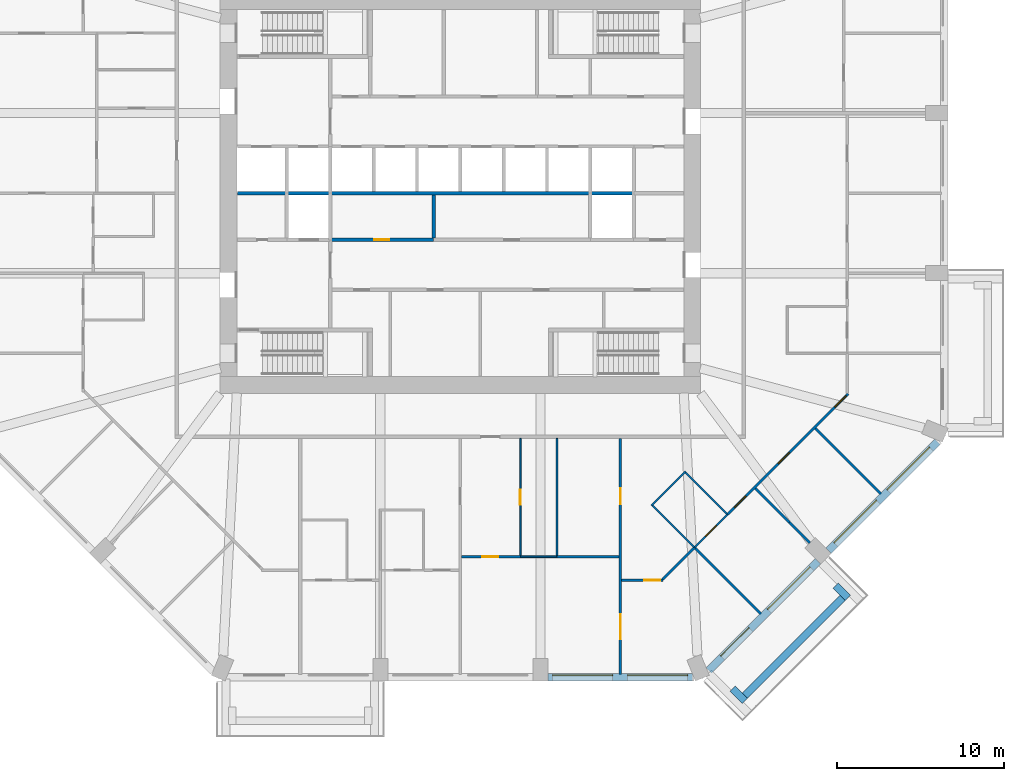
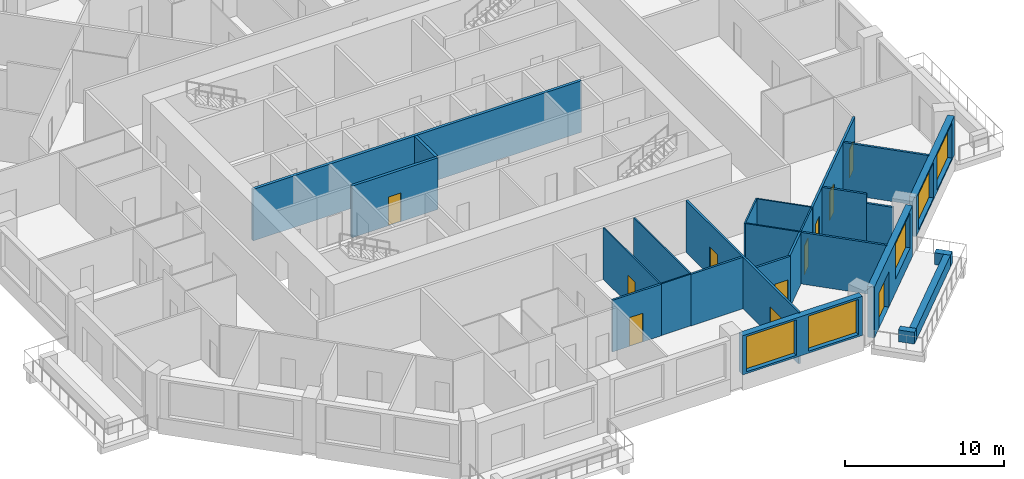
# One storey, part 5 of 13: 26 walls, 11 doors, 5 windows, 16 openings.
"""IFC4 building model written with IfcOpenShell, lengths in metres."""

import ifcopenshell
import ifcopenshell.guid

model = None  # the IFC model being written
_history = None  # IfcOwnerHistory: only IFC2X3 demands one
_inside = {}  # id of a spatial element -> (the spatial element, [elements in it])
_under = {}  # id of a project, library or spatial element -> (it, [spatial elements below it])
_declared = {}  # id of a project -> (the project, [libraries it declares])
_typed = {}  # id of a type object -> (the type object, [elements of that type])
_made_of = {}  # id of a material, layer set ... -> (it, [elements and type objects made of it])


def new_model(schema):
    """Start an empty IFC model of exactly this schema.

    Asked for "IFC4X3", IfcOpenShell would pick the latest addendum, in which some entities
    have other attributes; the version numbers below select the first issue.
    IFC2X3 requires an IfcOwnerHistory on every rooted entity: one is made here for all.
    """
    global model, _history
    if schema == "IFC4X3":
        model = ifcopenshell.file(schema_version=(4, 3, 0, 0))
    else:
        model = ifcopenshell.file(schema=schema)
    _inside.clear()
    _under.clear()
    _declared.clear()
    _typed.clear()
    _made_of.clear()
    _history = None
    if model.schema == "IFC2X3":
        org = make("IfcOrganization", Name="unknown")
        user = make(
            "IfcPersonAndOrganization",
            ThePerson=make("IfcPerson", FamilyName="unknown"),
            TheOrganization=org,
        )
        app = make(
            "IfcApplication",
            ApplicationDeveloper=org,
            Version="unknown",
            ApplicationFullName="unknown",
            ApplicationIdentifier="unknown",
        )
        _history = make(
            "IfcOwnerHistory",
            OwningUser=user,
            OwningApplication=app,
            ChangeAction="ADDED",
            CreationDate=0,
        )
    return model


def make(cls, **values):
    """One entity of the class cls with the attributes given. An attribute that is None is left unset."""
    return model.create_entity(
        cls, **{name: value for name, value in values.items() if value is not None}
    )


def rooted(cls, **values):
    """An entity with a GlobalId (a new one), such as an element, a storey or a relation."""
    return make(cls, GlobalId=ifcopenshell.guid.new(), OwnerHistory=_history, **values)


def si_unit(unit_type, name, prefix=None):
    """IfcSIUnit, for example si_unit("LENGTHUNIT", "METRE", prefix="MILLI")."""
    return make("IfcSIUnit", UnitType=unit_type, Prefix=prefix, Name=name)


def assignment(units):
    """IfcUnitAssignment: the units of a project."""
    return None if units is None else make("IfcUnitAssignment", Units=units)


def point(xyz):
    """IfcCartesianPoint."""
    return None if xyz is None else make("IfcCartesianPoint", Coordinates=xyz)


def direction(xyz):
    """IfcDirection."""
    return None if xyz is None else make("IfcDirection", DirectionRatios=xyz)


def frame(location, z_axis=None, x_axis=None):
    """IfcAxis2Placement3D, a coordinate frame: its origin and axes. An axis left out is left unset."""
    return make(
        "IfcAxis2Placement3D",
        Location=point(location),
        Axis=direction(z_axis),
        RefDirection=direction(x_axis),
    )


def frame_2d(location, x_axis=None):
    """IfcAxis2Placement2D, a coordinate frame in the plane: its origin and x axis."""
    return make(
        "IfcAxis2Placement2D", Location=point(location), RefDirection=direction(x_axis)
    )


def origin():
    """The frame at (0, 0, 0) with its axes left unset."""
    return frame((0.0, 0.0, 0.0))


def place(relative_to, where):
    """IfcLocalPlacement: puts the frame where relative to a parent placement (None: the world)."""
    return make(
        "IfcLocalPlacement", PlacementRelTo=relative_to, RelativePlacement=where
    )


def context(
    kind, dimensions, precision=None, world=None, true_north=None, identifier=None
):
    """IfcGeometricRepresentationContext, for example the 3D "Model" context."""
    return make(
        "IfcGeometricRepresentationContext",
        ContextIdentifier=identifier,
        ContextType=kind,
        CoordinateSpaceDimension=dimensions,
        Precision=precision,
        WorldCoordinateSystem=world,
        TrueNorth=true_north,
    )


def subcontext(parent, identifier, kind, view, scale=None):
    """IfcGeometricRepresentationSubContext, for example "Body" below "Model"."""
    return make(
        "IfcGeometricRepresentationSubContext",
        ContextIdentifier=identifier,
        ContextType=kind,
        ParentContext=parent,
        TargetScale=scale,
        TargetView=view,
    )


def project(units=None, contexts=None):
    """IfcProject with its units and contexts."""
    return rooted(
        "IfcProject",
        Name="project",
        RepresentationContexts=contexts,
        UnitsInContext=assignment(units),
    )


def spatial(cls, under=None, at=None, **own):
    """A site, building, storey or space (cls), placed at a placement, below another one or the project."""
    s = rooted(cls, ObjectPlacement=at, **own)
    if under is not None:
        _under.setdefault(under.id(), (under, []))[1].append(s)
    return s


def profile(cls, at=None, kind="AREA", **sizes):
    """A parametric profile (cls). Its sizes go by their IFC names, for example OverallWidth=200.0."""
    return make(cls, ProfileType=kind, Position=at, **sizes)


def rectangle(**sizes):
    """IfcRectangleProfileDef."""
    return profile("IfcRectangleProfileDef", **sizes)


def extrude(swept, where, along, depth):
    """IfcExtrudedAreaSolid: the profile swept, set in the frame where, extruded along a direction by depth."""
    return make(
        "IfcExtrudedAreaSolid",
        SweptArea=swept,
        Position=where,
        ExtrudedDirection=direction(along),
        Depth=depth,
    )


def shape(context_of_items, identifier, shape_type, items):
    """IfcShapeRepresentation: the items that make up one representation, for example the "Body"."""
    return make(
        "IfcShapeRepresentation",
        ContextOfItems=context_of_items,
        RepresentationIdentifier=identifier,
        RepresentationType=shape_type,
        Items=items,
    )


def material(Name=None, Category=None):
    """IfcMaterial."""
    return make("IfcMaterial", Name=Name, Category=Category)


def layer(
    of_material, thickness, ventilated=None, Name=None, Category=None, Priority=None
):
    """IfcMaterialLayer: one layer of a wall or slab, of a material (None: an air gap)."""
    return make(
        "IfcMaterialLayer",
        Material=of_material,
        LayerThickness=thickness,
        IsVentilated=ventilated,
        Name=Name,
        Category=Category,
        Priority=Priority,
    )


def layer_set(layers, Name=None):
    """IfcMaterialLayerSet."""
    return make("IfcMaterialLayerSet", MaterialLayers=layers, LayerSetName=Name)


def made_of(thing, what):
    """Note that an element or type object is made of a material, layer set ...; save() writes the relation."""
    if what is not None:
        _made_of.setdefault(what.id(), (what, []))[1].append(thing)
    return thing


def type_object(cls, material=None, **own):
    """A type object (cls), such as IfcWallType, which elements share."""
    return made_of(rooted(cls, **own), material)


def element(
    cls,
    number,
    at=None,
    inside=None,
    cuts=None,
    type_object=None,
    material=None,
    context=None,
    identifier="Body",
    shape_type=None,
    held_by="IfcProductDefinitionShape",
    body=None,
    shapes=None,
    **own,
):
    """One element of the class cls, such as IfcWall. Its Tag is "e" and its number.

    at: its placement. inside: the storey or other place that contains it. cuts: it is an
    opening in that element (IfcRelVoidsElement). A single representation is given by context,
    identifier, shape_type and body (its items); several are given by shapes. held_by: the class
    of the entity that holds the representations. save() writes the other relations.
    """
    e = rooted(cls, Tag="e%d" % number, ObjectPlacement=at, **own)
    if body is not None:
        shapes = [shape(context, identifier, shape_type, body)]
    if shapes is not None:
        e.Representation = make(held_by, Representations=shapes)
    if inside is not None:
        _inside.setdefault(inside.id(), (inside, []))[1].append(e)
    if cuts is not None:
        rooted(
            "IfcRelVoidsElement", RelatingBuildingElement=cuts, RelatedOpeningElement=e
        )
    if type_object is not None:
        _typed.setdefault(type_object.id(), (type_object, []))[1].append(e)
    return made_of(e, material)


def fill(opening, filler):
    """IfcRelFillsElement: the door or window that sits in an opening."""
    return rooted(
        "IfcRelFillsElement",
        RelatingOpeningElement=opening,
        RelatedBuildingElement=filler,
    )


def aggregate(whole, parts):
    """IfcRelAggregates: a whole, such as a stair, and the parts it consists of."""
    return rooted("IfcRelAggregates", RelatingObject=whole, RelatedObjects=parts)


def save(model, path):
    """Write the relations noted so far, then the file.

    IfcRelAggregates (storeys below a building ...), IfcRelContainedInSpatialStructure (elements
    in a storey), IfcRelDefinesByType, IfcRelAssociatesMaterial and IfcRelDeclares: one each for
    every whole, place, type object, material and project.
    """
    for whole, parts in _under.values():
        aggregate(whole, parts)
    for where, things in _inside.values():
        rooted(
            "IfcRelContainedInSpatialStructure",
            RelatedElements=things,
            RelatingStructure=where,
        )
    for kind, things in _typed.values():
        rooted("IfcRelDefinesByType", RelatedObjects=things, RelatingType=kind)
    for what, things in _made_of.values():
        rooted("IfcRelAssociatesMaterial", RelatedObjects=things, RelatingMaterial=what)
    for by, libraries in _declared.values():
        rooted("IfcRelDeclares", RelatingContext=by, RelatedDefinitions=libraries)
    model.write(path)


model = new_model("IFC4")

# Units and contexts
model_context = context("Model", 3, precision=1e-05, world=origin(), true_north=direction((0.0, 1.0)))
body_context = subcontext(model_context, "Body", "Model", "MODEL_VIEW")
ifc_project = project(units=[si_unit("LENGTHUNIT", "METRE"), si_unit("AREAUNIT", "SQUARE_METRE"), si_unit("VOLUMEUNIT", "CUBIC_METRE"), si_unit("PLANEANGLEUNIT", "RADIAN"), si_unit("MASSUNIT", "GRAM", prefix="KILO")], contexts=[model_context])

# Site, building, storey
site_placement = place(None, origin())
site = spatial("IfcSite", under=ifc_project, at=site_placement, CompositionType="ELEMENT")
building_placement = place(site_placement, origin())
building = spatial("IfcBuilding", under=site, at=building_placement, Name="Msitu Wima Residences", CompositionType="ELEMENT")
storey_placement = place(building_placement, frame((0.0, 0.0, 84.300048828125)))
storey = spatial("IfcBuildingStorey", under=building, at=storey_placement, Name="L19", CompositionType="ELEMENT", Elevation=84.300048828125)

# Walls
ifc_material_1 = material(Name="Facing brick")
ifc_layer_1 = layer(ifc_material_1, 0.06494140625, Name="Facing brick")
ifc_material_2 = material(Name="Concrete C40/50", Category="concrete")
ifc_layer_2 = layer(ifc_material_2, 0.156005859375, Name="Concrete C40/50")
ifc_material_3 = material(Name="Waterproofing membrane")
ifc_layer_3 = layer(ifc_material_3, 0.00390625, Name="Waterproofing membrane")
ifc_material_4 = material(Name="Planting soil and planting")
ifc_layer_4 = layer(ifc_material_4, 0.22509765625, Name="Planting soil and planting")
ifc_layer_set_1 = layer_set([ifc_layer_1, ifc_layer_2, ifc_layer_3, ifc_layer_4], Name="Concrete C40/50")
wall_type_1 = type_object("IfcWallType", Name="Balcony planter PLANTER PL450", PredefinedType="USERDEFINED", material=ifc_layer_set_1)
wall_1_placement = place(storey_placement, frame((17.0693359375, -30.125732421875, 0.0), z_axis=(0.0, 0.0, 1.0), x_axis=(0.707106781187, 0.707106781187, 0.0)))
element("IfcWall", 1, at=wall_1_placement, inside=storey, type_object=wall_type_1, Name="Balcony planter SE0 L19", ObjectType="PLANTER", PredefinedType="USERDEFINED", context=body_context, shape_type="SweptSolid", body=[
    extrude(rectangle(XDim=8.2822265625, YDim=0.449951171875, at=frame_2d((4.14111328125, 0.0))), origin(), (0.0, 0.0, 1.0), 0.89990234375),
])
for number, where, z_axis, x_axis, name in (
    (2, (16.326904296875, -29.70166015625, 0.0), (0.0, 0.0, 1.0), (0.707106781187, -0.707106781187, 0.0), "Balcony planter SE0 L19"),
    (3, (22.50146484375, -23.52685546875, 0.0), (0.0, 0.0, 1.0), (0.707223014731, -0.706990528533, 0.0), "Balcony planter SE0 L19"),
):
    element("IfcWall", number, at=place(storey_placement, frame(where, z_axis=z_axis, x_axis=x_axis)), inside=storey, type_object=wall_type_1, Name=name, ObjectType="PLANTER", PredefinedType="USERDEFINED", context=body_context, shape_type="SweptSolid", body=[
        extrude(rectangle(XDim=1.050048828125, YDim=0.449951171875, at=frame_2d((0.52490234375, 0.0))), origin(), (0.0, 0.0, 1.0), 0.89990234375),
    ])

# Wall, openings, windows
ifc_material_5 = material(Name="Brick (red buff mix)", Category="masonry")
ifc_layer_5 = layer(ifc_material_5, 0.449951171875)
ifc_layer_set_2 = layer_set([ifc_layer_5], Name="Brick (red buff mix)")
wall_type_2 = type_object("IfcWallType", Name="Brick infill wall BW450", PredefinedType="SOLIDWALL", material=ifc_layer_set_2)
wall_2_placement = place(storey_placement, frame((5.25, -29.02490234375, 0.89990234375), z_axis=(0.0, 0.0, 1.0), x_axis=(1.0, 0.0, 0.0)))
wall_2 = element("IfcWall", 4, at=wall_2_placement, inside=storey, type_object=wall_type_2, Name="Brick infill wall L19 S2", PredefinedType="SOLIDWALL", context=body_context, shape_type="SweptSolid", body=[
    extrude(rectangle(XDim=8.662841796875, YDim=0.449951171875, at=frame_2d((4.33154296875, 0.0))), origin(), (0.0, 0.0, 1.0), 3.0),
])
opening_1_placement = place(wall_2_placement, frame((0.281494140625, 0.0, 0.14990234375)))
opening_1 = element("IfcOpeningElement", 5, at=opening_1_placement, cuts=wall_2, Name="Opening W18-20.020", PredefinedType="OPENING", context=body_context, shape_type="SweptSolid", body=[
    extrude(rectangle(XDim=3.60009765625, YDim=2.699951171875, at=frame_2d((1.800048828125, 1.35009765625))), frame((0.0, 0.23486328125, 0.0), z_axis=(0.0, -1.0, 0.0), x_axis=(1.0, 0.0, 0.0)), (0.0, 0.0, 1.0), 0.469970703125),
])
opening_2_placement = place(wall_2_placement, frame((4.781494140625, 0.0, 0.14990234375)))
opening_2 = element("IfcOpeningElement", 6, at=opening_2_placement, cuts=wall_2, Name="Opening W18-20.021", PredefinedType="OPENING", context=body_context, shape_type="SweptSolid", body=[
    extrude(rectangle(XDim=3.60009765625, YDim=2.699951171875, at=frame_2d((1.800048828125, 1.35009765625))), frame((0.0, 0.23486328125, 0.0), z_axis=(0.0, -1.0, 0.0), x_axis=(1.0, 0.0, 0.0)), (0.0, 0.0, 1.0), 0.469970703125),
])
ifc_material_6 = material(Name="Anodised aluminium, bronze finish, clear low-emissivity double glazing", Category="aluminium")
window_type = type_object("IfcWindowType", Name="Window W3600x2700", PartitioningType="DOUBLE_PANEL_VERTICAL", PredefinedType="WINDOW", material=ifc_material_6)
window_1_placement = place(opening_1_placement, origin())
window_1 = element("IfcWindow", 7, at=window_1_placement, inside=storey, type_object=window_type, Name="Window L19 S2.1", OverallHeight=2.699951171875, OverallWidth=3.60009765625, PartitioningType="SINGLE_PANEL", PredefinedType="WINDOW", context=body_context, shape_type="SweptSolid", body=[
    extrude(rectangle(XDim=3.60009765625, YDim=2.699951171875, at=frame_2d((1.800048828125, 1.35009765625))), frame((0.0, 0.135009765625, 0.0), z_axis=(0.0, -1.0, 0.0), x_axis=(1.0, 0.0, 0.0)), (0.0, 0.0, 1.0), 0.06005859375),
])
fill(opening_1, window_1)
window_2_placement = place(opening_2_placement, origin())
window_2 = element("IfcWindow", 8, at=window_2_placement, inside=storey, type_object=window_type, Name="Window L19 S2.2", OverallHeight=2.699951171875, OverallWidth=3.60009765625, PartitioningType="SINGLE_PANEL", PredefinedType="WINDOW", context=body_context, shape_type="SweptSolid", body=[
    extrude(rectangle(XDim=3.60009765625, YDim=2.699951171875, at=frame_2d((1.800048828125, 1.35009765625))), frame((0.0, 0.135009765625, 0.0), z_axis=(0.0, -1.0, 0.0), x_axis=(1.0, 0.0, 0.0)), (0.0, 0.0, 1.0), 0.06005859375),
])
fill(opening_2, window_2)

# Wall, openings, door, window
wall_3_placement = place(storey_placement, frame((14.903564453125, -28.61474609375, 0.0), z_axis=(0.0, 0.0, 1.0), x_axis=(0.707106781187, 0.707106781187, 0.0)))
wall_3 = element("IfcWall", 9, at=wall_3_placement, inside=storey, type_object=wall_type_2, Name="Brick infill wall L19 SE0", PredefinedType="SOLIDWALL", context=body_context, shape_type="SweptSolid", body=[
    extrude(rectangle(XDim=9.2451171875, YDim=0.449951171875, at=frame_2d((4.62255859375, 0.0))), origin(), (0.0, 0.0, 1.0), 3.89990234375),
])
opening_3_placement = place(wall_3_placement, frame((1.111328125, 0.0, 0.0)))
opening_3 = element("IfcOpeningElement", 10, at=opening_3_placement, cuts=wall_3, Name="Opening D18-20.006", PredefinedType="OPENING", context=body_context, shape_type="SweptSolid", body=[
    extrude(rectangle(XDim=2.39990234375, YDim=2.699951171875, at=frame_2d((1.199951171875, 1.35009765625))), frame((0.0, 0.23486328125, 0.0), z_axis=(0.0, -1.0, 0.0), x_axis=(1.0, 0.0, 0.0)), (0.0, 0.0, 1.0), 0.469970703125),
])
opening_4_placement = place(wall_3_placement, frame((5.072509765625, 0.0, 1.050048828125)))
opening_4 = element("IfcOpeningElement", 11, at=opening_4_placement, cuts=wall_3, Name="Opening W18-20.022", PredefinedType="OPENING", context=body_context, shape_type="SweptSolid", body=[
    extrude(rectangle(XDim=3.60009765625, YDim=2.699951171875, at=frame_2d((1.800048828125, 1.35009765625))), frame((0.0, 0.23486328125, 0.0), z_axis=(0.0, -1.0, 0.0), x_axis=(1.0, 0.0, 0.0)), (0.0, 0.0, 1.0), 0.469970703125),
])
door_type_1 = type_object("IfcDoorType", Name="Balcony door D2400x2700", OperationType="SLIDING_TO_LEFT", PredefinedType="DOOR", material=ifc_material_6)
door_1_placement = place(opening_3_placement, origin())
door_1 = element("IfcDoor", 12, at=door_1_placement, inside=storey, type_object=door_type_1, Name="Balcony door L19 SE0", OperationType="SINGLE_SWING_LEFT", OverallHeight=2.699951171875, OverallWidth=2.39990234375, PredefinedType="DOOR", context=body_context, shape_type="SweptSolid", body=[
    extrude(rectangle(XDim=2.39990234375, YDim=2.699951171875, at=frame_2d((1.199951171875, 1.35009765625))), frame((0.0, 0.1298828125, 0.0), z_axis=(0.0, -1.0, 0.0), x_axis=(1.0, 0.0, 0.0)), (0.0, 0.0, 1.0), 0.050048828125),
])
fill(opening_3, door_1)
window_3_placement = place(opening_4_placement, origin())
window_3 = element("IfcWindow", 13, at=window_3_placement, inside=storey, type_object=window_type, Name="Window L19 SE0.2", OverallHeight=2.699951171875, OverallWidth=3.60009765625, PartitioningType="SINGLE_PANEL", PredefinedType="WINDOW", context=body_context, shape_type="SweptSolid", body=[
    extrude(rectangle(XDim=3.60009765625, YDim=2.699951171875, at=frame_2d((1.800048828125, 1.35009765625))), frame((0.0, 0.135009765625, 0.0), z_axis=(0.0, -1.0, 0.0), x_axis=(1.0, 0.0, 0.0)), (0.0, 0.0, 1.0), 0.06005859375),
])
fill(opening_4, window_3)

# Wall, openings, windows
wall_4_placement = place(storey_placement, frame((22.077392578125, -21.44091796875, 0.89990234375), z_axis=(0.0, 0.0, 1.0), x_axis=(0.707106781187, 0.707106781187, 0.0)))
wall_4 = element("IfcWall", 14, at=wall_4_placement, inside=storey, type_object=wall_type_2, Name="Brick infill wall L19 SE1", PredefinedType="SOLIDWALL", context=body_context, shape_type="SweptSolid", body=[
    extrude(rectangle(XDim=9.2451171875, YDim=0.449951171875, at=frame_2d((4.62255859375, 0.0))), origin(), (0.0, 0.0, 1.0), 3.0),
])
opening_5_placement = place(wall_4_placement, frame((0.572509765625, 0.0, 0.14990234375)))
opening_5 = element("IfcOpeningElement", 15, at=opening_5_placement, cuts=wall_4, Name="Opening W18-20.023", PredefinedType="OPENING", context=body_context, shape_type="SweptSolid", body=[
    extrude(rectangle(XDim=3.60009765625, YDim=2.699951171875, at=frame_2d((1.800048828125, 1.35009765625))), frame((0.0, 0.23486328125, 0.0), z_axis=(0.0, -1.0, 0.0), x_axis=(1.0, 0.0, 0.0)), (0.0, 0.0, 1.0), 0.469970703125),
])
opening_6_placement = place(wall_4_placement, frame((5.072509765625, 0.0, 0.14990234375)))
opening_6 = element("IfcOpeningElement", 16, at=opening_6_placement, cuts=wall_4, Name="Opening W18-20.024", PredefinedType="OPENING", context=body_context, shape_type="SweptSolid", body=[
    extrude(rectangle(XDim=3.60009765625, YDim=2.699951171875, at=frame_2d((1.800048828125, 1.35009765625))), frame((0.0, 0.23486328125, 0.0), z_axis=(0.0, -1.0, 0.0), x_axis=(1.0, 0.0, 0.0)), (0.0, 0.0, 1.0), 0.469970703125),
])
window_4_placement = place(opening_5_placement, origin())
window_4 = element("IfcWindow", 17, at=window_4_placement, inside=storey, type_object=window_type, Name="Window L19 SE1.1", OverallHeight=2.699951171875, OverallWidth=3.60009765625, PartitioningType="SINGLE_PANEL", PredefinedType="WINDOW", context=body_context, shape_type="SweptSolid", body=[
    extrude(rectangle(XDim=3.60009765625, YDim=2.699951171875, at=frame_2d((1.800048828125, 1.35009765625))), frame((0.0, 0.135009765625, 0.0), z_axis=(0.0, -1.0, 0.0), x_axis=(1.0, 0.0, 0.0)), (0.0, 0.0, 1.0), 0.06005859375),
])
fill(opening_5, window_4)
window_5_placement = place(opening_6_placement, origin())
window_5 = element("IfcWindow", 18, at=window_5_placement, inside=storey, type_object=window_type, Name="Window L19 SE1.2", OverallHeight=2.699951171875, OverallWidth=3.60009765625, PartitioningType="SINGLE_PANEL", PredefinedType="WINDOW", context=body_context, shape_type="SweptSolid", body=[
    extrude(rectangle(XDim=3.60009765625, YDim=2.699951171875, at=frame_2d((1.800048828125, 1.35009765625))), frame((0.0, 0.135009765625, 0.0), z_axis=(0.0, -1.0, 0.0), x_axis=(1.0, 0.0, 0.0)), (0.0, 0.0, 1.0), 0.06005859375),
])
fill(opening_6, window_5)

# Wall, opening, door
ifc_material_7 = material(Name="Plaster")
ifc_layer_6 = layer(ifc_material_7, 0.011962890625, Name="Plaster")
ifc_material_8 = material(Name="Concrete blockwork", Category="masonry")
ifc_layer_7 = layer(ifc_material_8, 0.1259765625, Name="Concrete blockwork")
ifc_layer_8 = layer(ifc_material_7, 0.011962890625, Name="Plaster")
ifc_layer_set_3 = layer_set([ifc_layer_6, ifc_layer_7, ifc_layer_8], Name="Concrete blockwork")
wall_type_3 = type_object("IfcWallType", Name="Partition PW150", PredefinedType="PARTITIONING", material=ifc_layer_set_3)
wall_5_placement = place(storey_placement, frame((0.074951171875, -21.800048828125, 0.0), z_axis=(0.0, 0.0, 1.0), x_axis=(1.0, 0.0, 0.0)))
wall_5 = element("IfcWall", 19, at=wall_5_placement, inside=storey, type_object=wall_type_3, Name="Partition", PredefinedType="PARTITIONING", context=body_context, shape_type="SweptSolid", body=[
    extrude(rectangle(XDim=3.545166015625, YDim=0.14990234375, at=frame_2d((1.7724609375, 0.0))), origin(), (0.0, 0.0, 1.0), 3.949951171875),
])
opening_7_placement = place(wall_5_placement, frame((1.25, 0.0, 0.0)))
opening_7 = element("IfcOpeningElement", 20, at=opening_7_placement, cuts=wall_5, Name="Opening D18-20.066", PredefinedType="OPENING", context=body_context, shape_type="SweptSolid", body=[
    extrude(rectangle(XDim=0.949951171875, YDim=2.199951171875, at=frame_2d((0.47509765625, 1.10009765625))), frame((0.0, 0.0849609375, 0.0), z_axis=(0.0, -1.0, 0.0), x_axis=(1.0, 0.0, 0.0)), (0.0, 0.0, 1.0), 0.169921875),
])
ifc_material_9 = material(Name="Timber flush door", Category="wood")
door_type_2 = type_object("IfcDoorType", Name="Room door D12 950x2200", OperationType="SINGLE_SWING_LEFT", PredefinedType="DOOR", material=ifc_material_9)
door_2_placement = place(opening_7_placement, origin())
door_2 = element("IfcDoor", 21, at=door_2_placement, inside=storey, type_object=door_type_2, Name="Room door", OperationType="SINGLE_SWING_RIGHT", OverallHeight=2.199951171875, OverallWidth=0.949951171875, PredefinedType="DOOR", context=body_context, shape_type="SweptSolid", body=[
    extrude(rectangle(XDim=0.949951171875, YDim=2.199951171875, at=frame_2d((0.47509765625, 1.10009765625))), frame((0.0, 0.02490234375, 0.0), z_axis=(0.0, -1.0, 0.0), x_axis=(1.0, 0.0, 0.0)), (0.0, 0.0, 1.0), 0.050048828125),
])
fill(opening_7, door_2)

# Wall
wall_6_placement = place(storey_placement, frame((5.780029296875, -21.800048828125, 0.0), z_axis=(0.0, 0.0, 1.0), x_axis=(1.0, 0.0, 0.0)))
element("IfcWall", 22, at=wall_6_placement, inside=storey, type_object=wall_type_3, Name="Partition", PredefinedType="PARTITIONING", context=body_context, shape_type="SweptSolid", body=[
    extrude(rectangle(XDim=3.744873046875, YDim=0.14990234375, at=frame_2d((1.87255859375, 0.0))), origin(), (0.0, 0.0, 1.0), 3.949951171875),
])

# Wall, openings, doors
wall_7_placement = place(storey_placement, frame((9.60009765625, -28.85498046875, 0.0), z_axis=(0.0, 0.0, 1.0), x_axis=(0.0, 1.0, 0.0)))
wall_7 = element("IfcWall", 23, at=wall_7_placement, inside=storey, type_object=wall_type_3, Name="Partition", PredefinedType="PARTITIONING", context=body_context, shape_type="SweptSolid", body=[
    extrude(rectangle(XDim=14.155029296875, YDim=0.14990234375, at=frame_2d((7.07763671875, 0.0))), origin(), (0.0, 0.0, 1.0), 3.949951171875),
])
opening_8_placement = place(wall_7_placement, frame((2.10009765625, 0.0, 0.0)))
opening_8 = element("IfcOpeningElement", 24, at=opening_8_placement, cuts=wall_7, Name="Opening D18-20.067", PredefinedType="OPENING", context=body_context, shape_type="SweptSolid", body=[
    extrude(rectangle(XDim=1.5, YDim=2.199951171875, at=frame_2d((0.75, 1.10009765625))), frame((0.0, 0.0849609375, 0.0), z_axis=(0.0, -1.0, 0.0), x_axis=(1.0, 0.0, 0.0)), (0.0, 0.0, 1.0), 0.169921875),
])
opening_9_placement = place(wall_7_placement, frame((10.199951171875, 0.0, 0.0)))
opening_9 = element("IfcOpeningElement", 25, at=opening_9_placement, cuts=wall_7, Name="Opening D18-20.080", PredefinedType="OPENING", context=body_context, shape_type="SweptSolid", body=[
    extrude(rectangle(XDim=0.949951171875, YDim=2.199951171875, at=frame_2d((0.47509765625, 1.10009765625))), frame((0.0, 0.0849609375, 0.0), z_axis=(0.0, -1.0, 0.0), x_axis=(1.0, 0.0, 0.0)), (0.0, 0.0, 1.0), 0.169921875),
])
ifc_material_10 = material(Name="Timber double door", Category="wood")
door_type_3 = type_object("IfcDoorType", Name="Double door D04 1500x2200", OperationType="DOUBLE_DOOR_SINGLE_SWING", PredefinedType="DOOR", material=ifc_material_10)
door_3_placement = place(opening_8_placement, origin())
door_3 = element("IfcDoor", 26, at=door_3_placement, inside=storey, type_object=door_type_3, Name="Double door", OperationType="DOUBLE_DOOR_SINGLE_SWING", OverallHeight=2.199951171875, OverallWidth=1.5, PredefinedType="DOOR", context=body_context, shape_type="SweptSolid", body=[
    extrude(rectangle(XDim=1.5, YDim=2.199951171875, at=frame_2d((0.75, 1.10009765625))), frame((0.0, 0.02490234375, 0.0), z_axis=(0.0, -1.0, 0.0), x_axis=(1.0, 0.0, 0.0)), (0.0, 0.0, 1.0), 0.050048828125),
])
fill(opening_8, door_3)
door_4_placement = place(opening_9_placement, origin())
door_4 = element("IfcDoor", 27, at=door_4_placement, inside=storey, type_object=door_type_2, Name="Room door", OperationType="SINGLE_SWING_RIGHT", OverallHeight=2.199951171875, OverallWidth=0.949951171875, PredefinedType="DOOR", context=body_context, shape_type="SweptSolid", body=[
    extrude(rectangle(XDim=0.949951171875, YDim=2.199951171875, at=frame_2d((0.47509765625, 1.10009765625))), frame((0.0, 0.02490234375, 0.0), z_axis=(0.0, -1.0, 0.0), x_axis=(1.0, 0.0, 0.0)), (0.0, 0.0, 1.0), 0.050048828125),
])
fill(opening_9, door_4)

# Wall, opening, door
wall_8_placement = place(storey_placement, frame((9.675048828125, -23.199951171875, 0.0), z_axis=(0.0, 0.0, 1.0), x_axis=(1.0, 0.0, 0.0)))
wall_8 = element("IfcWall", 28, at=wall_8_placement, inside=storey, type_object=wall_type_3, Name="Partition", PredefinedType="PARTITIONING", context=body_context, shape_type="SweptSolid", body=[
    extrude(rectangle(XDim=2.48046875, YDim=0.14990234375, at=frame_2d((1.240234375, 0.0))), origin(), (0.0, 0.0, 1.0), 3.949951171875),
])
opening_10_placement = place(wall_8_placement, frame((1.35009765625, 0.0, 0.0)))
opening_10 = element("IfcOpeningElement", 29, at=opening_10_placement, cuts=wall_8, Name="Opening D18-20.073", PredefinedType="OPENING", context=body_context, shape_type="SweptSolid", body=[
    extrude(rectangle(XDim=0.949951171875, YDim=2.199951171875, at=frame_2d((0.47509765625, 1.10009765625))), frame((0.0, 0.0849609375, 0.0), z_axis=(0.0, -1.0, 0.0), x_axis=(1.0, 0.0, 0.0)), (0.0, 0.0, 1.0), 0.169921875),
])
door_5_placement = place(opening_10_placement, origin())
door_5 = element("IfcDoor", 30, at=door_5_placement, inside=storey, type_object=door_type_2, Name="Room door", OperationType="SINGLE_SWING_RIGHT", OverallHeight=2.199951171875, OverallWidth=0.949951171875, PredefinedType="DOOR", context=body_context, shape_type="SweptSolid", body=[
    extrude(rectangle(XDim=0.949951171875, YDim=2.199951171875, at=frame_2d((0.47509765625, 1.10009765625))), frame((0.0, 0.02490234375, 0.0), z_axis=(0.0, -1.0, 0.0), x_axis=(1.0, 0.0, 0.0)), (0.0, 0.0, 1.0), 0.050048828125),
])
fill(opening_10, door_5)

# Walls
wall_9_placement = place(storey_placement, frame((12.133544921875, -23.14697265625, 0.0), z_axis=(0.0, 0.0, 1.0), x_axis=(0.707106781187, 0.707106781187, 0.0)))
element("IfcWall", 31, at=wall_9_placement, inside=storey, type_object=wall_type_3, Name="Partition", PredefinedType="PARTITIONING", context=body_context, shape_type="SweptSolid", body=[
    extrude(rectangle(XDim=2.696533203125, YDim=0.14990234375, at=frame_2d((1.34814453125, 0.0))), origin(), (0.0, 0.0, 1.0), 3.949951171875),
])
wall_10_placement = place(storey_placement, frame((14.026123046875, -21.22607421875, 0.0), z_axis=(0.0, 0.0, 1.0), x_axis=(0.707085156134, -0.707128405578, 0.0)))
element("IfcWall", 32, at=wall_10_placement, inside=storey, type_object=wall_type_3, Name="Partition", PredefinedType="PARTITIONING", context=body_context, shape_type="SweptSolid", body=[
    extrude(rectangle(XDim=5.64501953125, YDim=0.14990234375, at=frame_2d((2.822509765625, 0.0))), origin(), (0.0, 0.0, 1.0), 3.949951171875),
])

# Wall, openings, doors
wall_11_placement = place(storey_placement, frame((16.02001953125, -19.26025390625, 0.0), z_axis=(0.0, 0.0, 1.0), x_axis=(0.707106781187, 0.707106781187, 0.0)))
wall_11 = element("IfcWall", 33, at=wall_11_placement, inside=storey, type_object=wall_type_3, Name="Partition", PredefinedType="PARTITIONING", context=body_context, shape_type="SweptSolid", body=[
    extrude(rectangle(XDim=10.228759765625, YDim=0.14990234375, at=frame_2d((5.1142578125, 0.0))), origin(), (0.0, 0.0, 1.0), 3.949951171875),
])
opening_11_placement = place(wall_11_placement, frame((4.300048828125, 0.0, 0.0)))
opening_11 = element("IfcOpeningElement", 34, at=opening_11_placement, cuts=wall_11, Name="Opening D18-20.074", PredefinedType="OPENING", context=body_context, shape_type="SweptSolid", body=[
    extrude(rectangle(XDim=0.949951171875, YDim=2.199951171875, at=frame_2d((0.47509765625, 1.10009765625))), frame((0.0, 0.0849609375, 0.0), z_axis=(0.0, -1.0, 0.0), x_axis=(1.0, 0.0, 0.0)), (0.0, 0.0, 1.0), 0.169921875),
])
opening_12_placement = place(wall_11_placement, frame((0.60009765625, 0.0, 0.0)))
opening_12 = element("IfcOpeningElement", 35, at=opening_12_placement, cuts=wall_11, Name="Opening D18-20.076", PredefinedType="OPENING", context=body_context, shape_type="SweptSolid", body=[
    extrude(rectangle(XDim=0.949951171875, YDim=2.199951171875, at=frame_2d((0.47509765625, 1.10009765625))), frame((0.0, 0.0849609375, 0.0), z_axis=(0.0, -1.0, 0.0), x_axis=(1.0, 0.0, 0.0)), (0.0, 0.0, 1.0), 0.169921875),
])
opening_13_placement = place(wall_11_placement, frame((9.10009765625, 0.0, 0.0)))
opening_13 = element("IfcOpeningElement", 36, at=opening_13_placement, cuts=wall_11, Name="Opening D18-20.082", PredefinedType="OPENING", context=body_context, shape_type="SweptSolid", body=[
    extrude(rectangle(XDim=0.949951171875, YDim=2.199951171875, at=frame_2d((0.47509765625, 1.10009765625))), frame((0.0, 0.0849609375, 0.0), z_axis=(0.0, -1.0, 0.0), x_axis=(1.0, 0.0, 0.0)), (0.0, 0.0, 1.0), 0.169921875),
])
door_6_placement = place(opening_11_placement, origin())
door_6 = element("IfcDoor", 37, at=door_6_placement, inside=storey, type_object=door_type_2, Name="Room door", OperationType="SINGLE_SWING_RIGHT", OverallHeight=2.199951171875, OverallWidth=0.949951171875, PredefinedType="DOOR", context=body_context, shape_type="SweptSolid", body=[
    extrude(rectangle(XDim=0.949951171875, YDim=2.199951171875, at=frame_2d((0.47509765625, 1.10009765625))), frame((0.0, 0.02490234375, 0.0), z_axis=(0.0, -1.0, 0.0), x_axis=(1.0, 0.0, 0.0)), (0.0, 0.0, 1.0), 0.050048828125),
])
fill(opening_11, door_6)
door_7_placement = place(opening_12_placement, origin())
door_7 = element("IfcDoor", 38, at=door_7_placement, inside=storey, type_object=door_type_2, Name="Room door", OperationType="SINGLE_SWING_LEFT", OverallHeight=2.199951171875, OverallWidth=0.949951171875, PredefinedType="DOOR", context=body_context, shape_type="SweptSolid", body=[
    extrude(rectangle(XDim=0.949951171875, YDim=2.199951171875, at=frame_2d((0.47509765625, 1.10009765625))), frame((0.0, 0.02490234375, 0.0), z_axis=(0.0, -1.0, 0.0), x_axis=(1.0, 0.0, 0.0)), (0.0, 0.0, 1.0), 0.050048828125),
])
fill(opening_12, door_7)
door_8_placement = place(opening_13_placement, origin())
door_8 = element("IfcDoor", 39, at=door_8_placement, inside=storey, type_object=door_type_2, Name="Room door", OperationType="SINGLE_SWING_RIGHT", OverallHeight=2.199951171875, OverallWidth=0.949951171875, PredefinedType="DOOR", context=body_context, shape_type="SweptSolid", body=[
    extrude(rectangle(XDim=0.949951171875, YDim=2.199951171875, at=frame_2d((0.47509765625, 1.10009765625))), frame((0.0, 0.02490234375, 0.0), z_axis=(0.0, -1.0, 0.0), x_axis=(1.0, 0.0, 0.0)), (0.0, 0.0, 1.0), 0.050048828125),
])
fill(opening_13, door_8)

# Walls
wall_12_placement = place(storey_placement, frame((17.693115234375, -17.693115234375, 0.0), z_axis=(0.0, 0.0, 1.0), x_axis=(0.707106781187, -0.707106781187, 0.0)))
element("IfcWall", 40, at=wall_12_placement, inside=storey, type_object=wall_type_3, Name="Partition", PredefinedType="PARTITIONING", context=body_context, shape_type="SweptSolid", body=[
    extrude(rectangle(XDim=2.876708984375, YDim=0.14990234375, at=frame_2d((1.4384765625, 0.0))), origin(), (0.0, 0.0, 1.0), 3.949951171875),
])
wall_13_placement = place(storey_placement, frame((19.727294921875, -19.727294921875, 0.0), z_axis=(0.0, 0.0, 1.0), x_axis=(0.707106781187, -0.707106781187, 0.0)))
element("IfcWall", 41, at=wall_13_placement, inside=storey, type_object=wall_type_3, Name="Partition", PredefinedType="PARTITIONING", context=body_context, shape_type="SweptSolid", body=[
    extrude(rectangle(XDim=1.74853515625, YDim=0.14990234375, at=frame_2d((0.874267578125, 0.0))), origin(), (0.0, 0.0, 1.0), 3.25),
])
wall_14_placement = place(storey_placement, frame((21.293212890625, -14.09326171875, 0.0), z_axis=(0.0, 0.0, 1.0), x_axis=(0.707128775519, -0.70708478617, 0.0)))
element("IfcWall", 42, at=wall_14_placement, inside=storey, type_object=wall_type_3, Name="Partition", PredefinedType="PARTITIONING", context=body_context, shape_type="SweptSolid", body=[
    extrude(rectangle(XDim=5.550048828125, YDim=0.14990234375, at=frame_2d((2.77490234375, 0.0))), origin(), (0.0, 0.0, 1.0), 3.949951171875),
])

# Wall, opening, door
ifc_layer_9 = layer(ifc_material_7, 0.011962890625, Name="Plaster")
ifc_material_11 = material(Name="Reinforced concrete blockwork", Category="masonry")
ifc_layer_10 = layer(ifc_material_11, 0.176025390625, Name="Reinforced concrete blockwork")
ifc_layer_11 = layer(ifc_material_7, 0.011962890625, Name="Plaster")
ifc_layer_set_4 = layer_set([ifc_layer_9, ifc_layer_10, ifc_layer_11], Name="Reinforced concrete blockwork")
wall_type_4 = type_object("IfcWallType", Name="Plant and riser wall PL200", PredefinedType="PARTITIONING", material=ifc_layer_set_4)
wall_15_placement = place(storey_placement, frame((-7.820068359375, -2.800048828125, 0.0), z_axis=(0.0, 0.0, 1.0), x_axis=(1.0, 0.0, 0.0)))
wall_15 = element("IfcWall", 43, at=wall_15_placement, inside=storey, type_object=wall_type_4, Name="Plant and riser wall", PredefinedType="PARTITIONING", context=body_context, shape_type="SweptSolid", body=[
    extrude(rectangle(XDim=6.199951171875, YDim=0.199951171875, at=frame_2d((3.10009765625, 0.0))), origin(), (0.0, 0.0, 1.0), 3.949951171875),
])
opening_14_placement = place(wall_15_placement, frame((2.64990234375, 0.0, 0.0)))
opening_14 = element("IfcOpeningElement", 44, at=opening_14_placement, cuts=wall_15, Name="Opening D18-20.029", PredefinedType="OPENING", context=body_context, shape_type="SweptSolid", body=[
    extrude(rectangle(XDim=0.89990234375, YDim=2.199951171875, at=frame_2d((0.449951171875, 1.10009765625))), frame((0.0, 0.10986328125, 0.0), z_axis=(0.0, -1.0, 0.0), x_axis=(1.0, 0.0, 0.0)), (0.0, 0.0, 1.0), 0.219970703125),
])
door_type_4 = type_object("IfcDoorType", Name="Service door D05 900x2200", OperationType="SINGLE_SWING_LEFT", PredefinedType="DOOR", material=ifc_material_9)
door_9_placement = place(opening_14_placement, origin())
door_9 = element("IfcDoor", 45, at=door_9_placement, inside=storey, type_object=door_type_4, Name="Service door", OperationType="SINGLE_SWING_LEFT", OverallHeight=2.199951171875, OverallWidth=0.89990234375, PredefinedType="DOOR", context=body_context, shape_type="SweptSolid", body=[
    extrude(rectangle(XDim=0.89990234375, YDim=2.199951171875, at=frame_2d((0.449951171875, 1.10009765625))), frame((0.0, 0.02490234375, 0.0), z_axis=(0.0, -1.0, 0.0), x_axis=(1.0, 0.0, 0.0)), (0.0, 0.0, 1.0), 0.050048828125),
])
fill(opening_14, door_9)

# Walls
wall_16_placement = place(storey_placement, frame((-1.60009765625, -2.699951171875, 0.0), z_axis=(0.0, 0.0, 1.0), x_axis=(0.0, 1.0, 0.0)))
element("IfcWall", 46, at=wall_16_placement, inside=storey, type_object=wall_type_4, Name="Plant and riser wall", PredefinedType="PARTITIONING", context=body_context, shape_type="SweptSolid", body=[
    extrude(rectangle(XDim=2.599853515625, YDim=0.199951171875, at=frame_2d((1.2998046875, 0.0))), origin(), (0.0, 0.0, 1.0), 3.949951171875),
])
ifc_material_12 = material(Name="Fire-rated board")
ifc_layer_12 = layer(ifc_material_12, 0.02490234375, Name="Fire-rated board")
ifc_material_13 = material(Name="Light-gauge stud framing with mineral wool")
ifc_layer_13 = layer(ifc_material_13, 0.14990234375, Name="Light-gauge stud framing with mineral wool")
ifc_layer_14 = layer(ifc_material_12, 0.02490234375, Name="Fire-rated board")
ifc_layer_set_5 = layer_set([ifc_layer_12, ifc_layer_13, ifc_layer_14], Name="Light-gauge stud framing with mineral wool")
wall_type_5 = type_object("IfcWallType", Name="Shaft wall SH200", PredefinedType="PARTITIONING", material=ifc_layer_set_5)
wall_17_placement = place(storey_placement, frame((-13.3701171875, 0.0, 0.0), z_axis=(0.0, 0.0, 1.0), x_axis=(1.0, 0.0, 0.0)))
element("IfcWall", 47, at=wall_17_placement, inside=storey, type_object=wall_type_5, Name="Shaft wall", PredefinedType="PARTITIONING", context=body_context, shape_type="SweptSolid", body=[
    extrude(rectangle(XDim=23.77001953125, YDim=0.199951171875, at=frame_2d((11.885009765625, 0.0))), origin(), (0.0, 0.0, 1.0), 3.949951171875),
])
ifc_material_14 = material(Name="Ceramic tiles")
ifc_layer_15 = layer(ifc_material_14, 0.008056640625, Name="Ceramic tiles")
ifc_material_15 = material(Name="Moisture-resistant board")
ifc_layer_16 = layer(ifc_material_15, 0.012451171875, Name="Moisture-resistant board")
ifc_layer_17 = layer(ifc_material_13, 0.06689453125, Name="Light-gauge stud framing with mineral wool")
ifc_layer_18 = layer(ifc_material_15, 0.012451171875, Name="Moisture-resistant board")
ifc_layer_set_6 = layer_set([ifc_layer_15, ifc_layer_16, ifc_layer_17, ifc_layer_18], Name="Light-gauge stud framing with mineral wool")
wall_type_6 = type_object("IfcWallType", Name="Wet wall PW100", PredefinedType="PARTITIONING", material=ifc_layer_set_6)
wall_18_placement = place(storey_placement, frame((3.6201171875, -21.800048828125, 0.0), z_axis=(0.0, 0.0, 1.0), x_axis=(1.0, 0.0, 0.0)))
element("IfcWall", 48, at=wall_18_placement, inside=storey, type_object=wall_type_6, Name="Wet wall", PredefinedType="PARTITIONING", context=body_context, shape_type="SweptSolid", body=[
    extrude(rectangle(XDim=2.159912109375, YDim=0.10009765625, at=frame_2d((1.080078125, 0.0))), origin(), (0.0, 0.0, 1.0), 3.949951171875),
])

# Wall, opening, door
wall_19_placement = place(storey_placement, frame((3.60009765625, -21.72509765625, 0.0), z_axis=(0.0, 0.0, 1.0), x_axis=(0.0, 1.0, 0.0)))
wall_19 = element("IfcWall", 49, at=wall_19_placement, inside=storey, type_object=wall_type_6, Name="Wet wall", PredefinedType="PARTITIONING", context=body_context, shape_type="SweptSolid", body=[
    extrude(rectangle(XDim=7.025146484375, YDim=0.10009765625, at=frame_2d((3.5126953125, 0.0))), origin(), (0.0, 0.0, 1.0), 3.949951171875),
])
opening_15_placement = place(wall_19_placement, frame((3.050048828125, 0.0, 0.0)))
opening_15 = element("IfcOpeningElement", 50, at=opening_15_placement, cuts=wall_19, Name="Opening D18-20.065", PredefinedType="OPENING", context=body_context, shape_type="SweptSolid", body=[
    extrude(rectangle(XDim=0.89990234375, YDim=2.199951171875, at=frame_2d((0.449951171875, 1.10009765625))), frame((0.0, 0.06005859375, 0.0), z_axis=(0.0, -1.0, 0.0), x_axis=(1.0, 0.0, 0.0)), (0.0, 0.0, 1.0), 0.1201171875),
])
ifc_material_16 = material(Name="Timber flush door, moisture resistant", Category="wood")
door_type_5 = type_object("IfcDoorType", Name="Bathroom door D03 900x2200", OperationType="SINGLE_SWING_LEFT", PredefinedType="DOOR", material=ifc_material_16)
door_10_placement = place(opening_15_placement, origin())
door_10 = element("IfcDoor", 51, at=door_10_placement, inside=storey, type_object=door_type_5, Name="Bathroom door", OperationType="SINGLE_SWING_RIGHT", OverallHeight=2.199951171875, OverallWidth=0.89990234375, PredefinedType="DOOR", context=body_context, shape_type="SweptSolid", body=[
    extrude(rectangle(XDim=0.89990234375, YDim=2.199951171875, at=frame_2d((0.449951171875, 1.10009765625))), frame((0.0, 0.02490234375, 0.0), z_axis=(0.0, -1.0, 0.0), x_axis=(1.0, 0.0, 0.0)), (0.0, 0.0, 1.0), 0.050048828125),
])
fill(opening_15, door_10)

# Walls
wall_20_placement = place(storey_placement, frame((5.800048828125, -21.72509765625, 0.0), z_axis=(0.0, 0.0, 1.0), x_axis=(0.0, 1.0, 0.0)))
element("IfcWall", 52, at=wall_20_placement, inside=storey, type_object=wall_type_6, Name="Wet wall", PredefinedType="PARTITIONING", context=body_context, shape_type="SweptSolid", body=[
    extrude(rectangle(XDim=7.025146484375, YDim=0.10009765625, at=frame_2d((3.5126953125, 0.0))), origin(), (0.0, 0.0, 1.0), 3.949951171875),
])
wall_21_placement = place(storey_placement, frame((11.459228515625, -18.72998046875, 0.0), z_axis=(0.0, 0.0, 1.0), x_axis=(0.707106781187, 0.707106781187, 0.0)))
element("IfcWall", 53, at=wall_21_placement, inside=storey, type_object=wall_type_6, Name="Wet wall", PredefinedType="PARTITIONING", context=body_context, shape_type="SweptSolid", body=[
    extrude(rectangle(XDim=2.89990234375, YDim=0.10009765625, at=frame_2d((1.449951171875, 0.0))), origin(), (0.0, 0.0, 1.0), 3.949951171875),
])
wall_22_placement = place(storey_placement, frame((11.530029296875, -18.72998046875, 0.0), z_axis=(0.0, 0.0, 1.0), x_axis=(0.707106781187, -0.707106781187, 0.0)))
element("IfcWall", 54, at=wall_22_placement, inside=storey, type_object=wall_type_6, Name="Wet wall", PredefinedType="PARTITIONING", context=body_context, shape_type="SweptSolid", body=[
    extrude(rectangle(XDim=3.530029296875, YDim=0.10009765625, at=frame_2d((1.76513671875, 0.0))), origin(), (0.0, 0.0, 1.0), 3.949951171875),
])
wall_23_placement = place(storey_placement, frame((13.509765625, -16.75, 0.0), z_axis=(0.0, 0.0, 1.0), x_axis=(0.707141656123, -0.70707190453, 0.0)))
element("IfcWall", 55, at=wall_23_placement, inside=storey, type_object=wall_type_6, Name="Wet wall", PredefinedType="PARTITIONING", context=body_context, shape_type="SweptSolid", body=[
    extrude(rectangle(XDim=3.500244140625, YDim=0.10009765625, at=frame_2d((1.75, 0.0))), origin(), (0.0, 0.0, 1.0), 3.949951171875),
])

# Wall, opening, door
wall_24_placement = place(storey_placement, frame((14.040283203125, -21.240234375, 0.0), z_axis=(0.0, 0.0, 1.0), x_axis=(0.707063182409, 0.707150377276, 0.0)))
wall_24 = element("IfcWall", 56, at=wall_24_placement, inside=storey, type_object=wall_type_6, Name="Wet wall", PredefinedType="PARTITIONING", context=body_context, shape_type="SweptSolid", body=[
    extrude(rectangle(XDim=2.800048828125, YDim=0.10009765625, at=frame_2d((1.39990234375, 0.0))), origin(), (0.0, 0.0, 1.0), 3.949951171875),
])
opening_16_placement = place(wall_24_placement, frame((0.949951171875, 0.0, 0.0)))
opening_16 = element("IfcOpeningElement", 57, at=opening_16_placement, cuts=wall_24, Name="Opening D18-20.077", PredefinedType="OPENING", context=body_context, shape_type="SweptSolid", body=[
    extrude(rectangle(XDim=0.89990234375, YDim=2.199951171875, at=frame_2d((0.449951171875, 1.10009765625))), frame((0.0, 0.06005859375, 0.0), z_axis=(0.0, -1.0, 0.0), x_axis=(1.0, 0.0, 0.0)), (0.0, 0.0, 1.0), 0.1201171875),
])
door_11_placement = place(opening_16_placement, origin())
door_11 = element("IfcDoor", 58, at=door_11_placement, inside=storey, type_object=door_type_5, Name="Bathroom door", OperationType="SINGLE_SWING_LEFT", OverallHeight=2.199951171875, OverallWidth=0.89990234375, PredefinedType="DOOR", context=body_context, shape_type="SweptSolid", body=[
    extrude(rectangle(XDim=0.89990234375, YDim=2.199951171875, at=frame_2d((0.449951171875, 1.10009765625))), frame((0.0, 0.02490234375, 0.0), z_axis=(0.0, -1.0, 0.0), x_axis=(1.0, 0.0, 0.0)), (0.0, 0.0, 1.0), 0.050048828125),
])
fill(opening_16, door_11)

save(model, "model.ifc")
